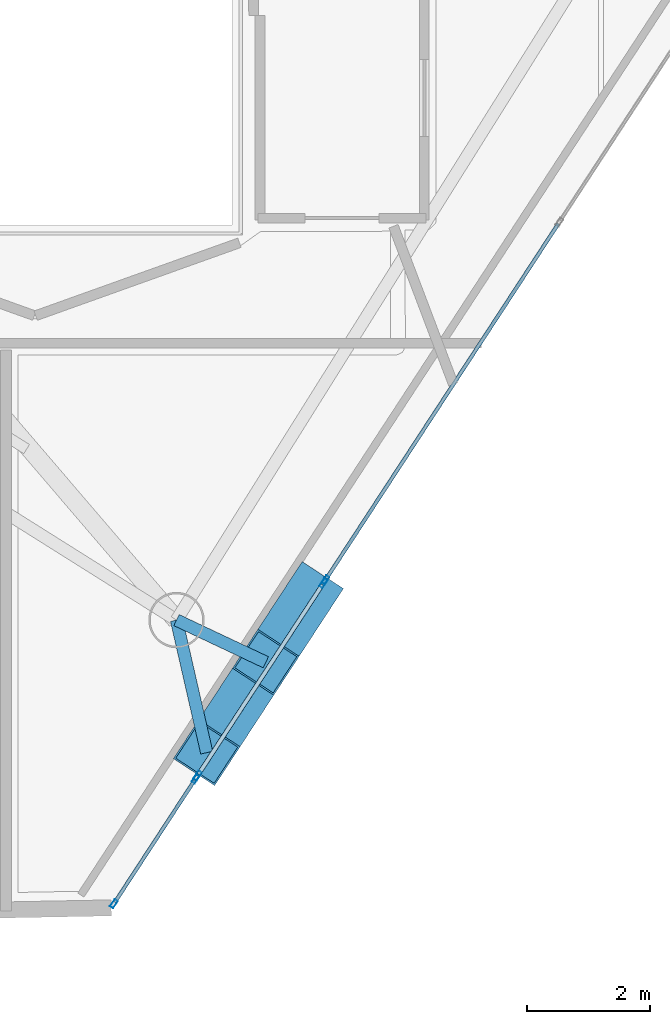
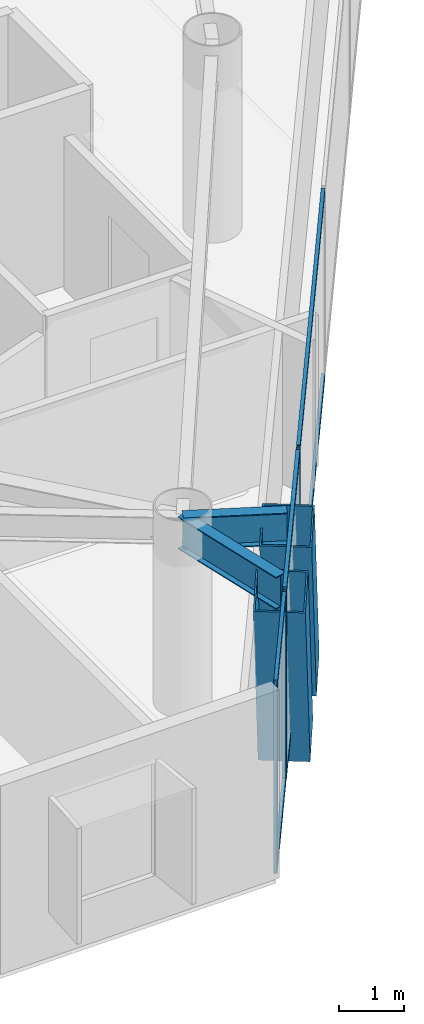
# One storey, part 5 of 25: 13 members, 2 beams, 3 elements without a shape of their own.
"""IFC4 building model written with IfcOpenShell, lengths in metres."""

from ifc_helpers import new_model, si_unit, direction, frame, origin, origin_2d, place, context, subcontext, project, spatial, hollow_rectangle, i_section, extrude, material, layer, layer_set, material_profile, profile_set, type_object, element, aggregate, save


model = new_model("IFC4")

# Units and contexts
model_context = context("Model", 3, precision=1e-05, world=origin(), true_north=direction((0.0, 1.0)))
body_context = subcontext(model_context, "Body", "Model", "MODEL_VIEW")
ifc_project = project(units=[si_unit("LENGTHUNIT", "METRE"), si_unit("AREAUNIT", "SQUARE_METRE"), si_unit("VOLUMEUNIT", "CUBIC_METRE"), si_unit("PLANEANGLEUNIT", "RADIAN"), si_unit("MASSUNIT", "GRAM", prefix="KILO")], contexts=[model_context])

# Site, building, storey
site_placement = place(None, origin())
site = spatial("IfcSite", under=ifc_project, at=site_placement, CompositionType="ELEMENT")
building_placement = place(site_placement, origin())
building = spatial("IfcBuilding", under=site, at=building_placement, Name="Qianvela Tower", CompositionType="ELEMENT")
storey_placement = place(building_placement, frame((0.0, 0.0, 291.699951171875)))
storey = spatial("IfcBuildingStorey", under=building, at=storey_placement, Name="L75", CompositionType="ELEMENT", Elevation=291.699951171875)

# Beams
ifc_material_1 = material(Name="Steel Q355B", Category="steel")
ifc_material_profile_1 = material_profile(ifc_material_1, i_section(OverallWidth=0.199951171875, OverallDepth=0.60009765625, WebThickness=0.010986328125, FlangeThickness=0.01708984375, at=origin_2d()), Name="HN600x200x11x17")
ifc_profile_set_1 = profile_set([ifc_material_profile_1], Name="Steel Q355B")
beam_type = type_object("IfcBeamType", Name="BM-HN600-GIRD", PredefinedType="BEAM", material=ifc_profile_set_1)
beam_1_placement = place(storey_placement, frame((39.095947265625, 11.587890625, 3.218017578125), z_axis=(0.222734712991, -0.974879093852, 0.0), x_axis=(0.974879093852, 0.222734712991, 0.0)))
element("IfcBeam", 1, at=beam_1_placement, inside=storey, type_object=beam_type, Name="L75 Mega-Brace Column Tie Bracket F3-1", PredefinedType="BEAM", context=body_context, shape_type="SweptSolid", body=[
    extrude(i_section(OverallWidth=0.199951171875, OverallDepth=0.60009765625, WebThickness=0.010986328125, FlangeThickness=0.01708984375, at=origin_2d()), origin(), (0.0, 0.0, 1.0), 2.20751953125),
])
beam_2_placement = place(storey_placement, frame((39.095947265625, 11.587890625, 3.218017578125), z_axis=(0.904217628297, -0.427071985356, 0.0), x_axis=(0.427071985356, 0.904217628297, 0.0)))
element("IfcBeam", 2, at=beam_2_placement, inside=storey, type_object=beam_type, Name="L75 Mega-Brace Column Tie Bracket F3-2", PredefinedType="BEAM", context=body_context, shape_type="SweptSolid", body=[
    extrude(i_section(OverallWidth=0.199951171875, OverallDepth=0.60009765625, WebThickness=0.010986328125, FlangeThickness=0.01708984375, at=origin_2d()), origin(), (0.0, 0.0, 1.0), 1.60400390625),
])

# Curtain wall, members
ifc_material_2 = material(Name="Anodised Architectural Aluminium and Insulated Spandrel Panel", Category="aluminium")
ifc_layer_1 = layer(ifc_material_2, 0.179931640625)
ifc_layer_set_1 = layer_set([ifc_layer_1], Name="Anodised Architectural Aluminium and Insulated Spandrel Panel")
curtain_wall_type_1 = type_object("IfcCurtainWallType", Name="CW-BRACEBAY", PredefinedType="USERDEFINED", material=ifc_layer_set_1)
curtain_wall_1_placement = place(storey_placement, origin())
curtain_wall_1 = element("IfcCurtainWall", 3, at=curtain_wall_1_placement, inside=storey, type_object=curtain_wall_type_1, Name="L75 CW-BRACEBAY Curtain Wall 06B", ObjectType="CURTAIN_WALL_SYSTEM", PredefinedType="USERDEFINED")
ifc_material_3 = material(Name="Anodised Architectural Aluminium 6063-T6", Category="aluminium")
ifc_material_profile_2 = material_profile(ifc_material_3, hollow_rectangle(XDim=0.06494140625, YDim=0.159912109375, WallThickness=0.0048828125, at=origin_2d()), Name="ALU-MULL-65x160")
ifc_profile_set_2 = profile_set([ifc_material_profile_2], Name="Anodised Architectural Aluminium 6063-T6")
member_type_1 = type_object("IfcMemberType", Name="CW-BRACEBAY-MULL", PredefinedType="MULLION", material=ifc_profile_set_2)
member_1_placement = place(storey_placement, frame((39.43798828125, 9.060791015625, 0.0), z_axis=(0.0, 0.0, 1.0), x_axis=(-0.837080396027, 0.547079894154, 0.0)))
member_1 = element("IfcMember", 4, at=member_1_placement, type_object=member_type_1, Name="CW-9 mullion 1", PredefinedType="MULLION", context=body_context, shape_type="SweptSolid", body=[
    extrude(hollow_rectangle(XDim=0.06494140625, YDim=0.159912109375, WallThickness=0.0048828125, at=origin_2d()), origin(), (0.0, 0.0, 1.0), 3.52001953125),
])
member_2_placement = place(storey_placement, frame((41.4814453125, 12.187255859375, 0.0), z_axis=(0.0, 0.0, 1.0), x_axis=(-0.837080396027, 0.547079894154, 0.0)))
member_2 = element("IfcMember", 5, at=member_2_placement, type_object=member_type_1, Name="CW-9 mullion 2", PredefinedType="MULLION", context=body_context, shape_type="SweptSolid", body=[
    extrude(hollow_rectangle(XDim=0.06494140625, YDim=0.159912109375, WallThickness=0.0048828125, at=origin_2d()), origin(), (0.0, 0.0, 1.0), 3.52001953125),
])
ifc_material_4 = material(Name="Anodised Architectural Aluminium 6063-T6", Category="aluminium")
ifc_material_profile_3 = material_profile(ifc_material_4, hollow_rectangle(XDim=0.06494140625, YDim=0.1298828125, WallThickness=0.00439453125, at=origin_2d()), Name="ALU-TRAN-65x130")
ifc_profile_set_3 = profile_set([ifc_material_profile_3], Name="Anodised Architectural Aluminium 6063-T6")
member_type_2 = type_object("IfcMemberType", Name="CW-BRACEBAY-TRAN", PredefinedType="USERDEFINED", material=ifc_profile_set_3)
member_3_placement = place(storey_placement, frame((39.455810546875, 9.087890625, 0.032470703125), z_axis=(0.547093418459, 0.837071556964, 0.0), x_axis=(-0.837071556964, 0.547093418459, 0.0)))
member_3 = element("IfcMember", 6, at=member_3_placement, type_object=member_type_2, Name="CW-9 transom 1.1", ObjectType="TRANSOM", PredefinedType="USERDEFINED", context=body_context, shape_type="SweptSolid", body=[
    extrude(hollow_rectangle(XDim=0.06494140625, YDim=0.1298828125, WallThickness=0.00439453125, at=origin_2d()), origin(), (0.0, 0.0, 1.0), 3.669921875),
])
member_4_placement = place(storey_placement, frame((39.455810546875, 9.087890625, 3.487548828125), z_axis=(0.547093418459, 0.837071556964, 0.0), x_axis=(-0.837071556964, 0.547093418459, 0.0)))
member_4 = element("IfcMember", 7, at=member_4_placement, type_object=member_type_2, Name="CW-9 transom 1.2", ObjectType="TRANSOM", PredefinedType="USERDEFINED", context=body_context, shape_type="SweptSolid", body=[
    extrude(hollow_rectangle(XDim=0.06494140625, YDim=0.1298828125, WallThickness=0.00439453125, at=origin_2d()), origin(), (0.0, 0.0, 1.0), 3.669921875),
])
aggregate(curtain_wall_1, [member_1, member_2, member_3, member_4])

ifc_material_5 = material(Name="Anodised Architectural Aluminium and Low-E Glass", Category="aluminium")
ifc_layer_2 = layer(ifc_material_5, 0.14990234375)
ifc_layer_set_2 = layer_set([ifc_layer_2], Name="Anodised Architectural Aluminium and Low-E Glass")
curtain_wall_type_2 = type_object("IfcCurtainWallType", Name="CW-COLIV-Z78", PredefinedType="USERDEFINED", material=ifc_layer_set_2)
curtain_wall_2_placement = place(storey_placement, origin())
curtain_wall_2 = element("IfcCurtainWall", 8, at=curtain_wall_2_placement, inside=storey, type_object=curtain_wall_type_2, Name="L75 CW-COLIV-Z78 Curtain Wall 06A", ObjectType="CURTAIN_WALL_SYSTEM", PredefinedType="USERDEFINED")
ifc_material_6 = material(Name="Anodised Architectural Aluminium 6063-T6", Category="aluminium")
ifc_material_profile_4 = material_profile(ifc_material_6, hollow_rectangle(XDim=0.06005859375, YDim=0.139892578125, WallThickness=0.00439453125, at=origin_2d()), Name="ALU-MULL-60x140")
ifc_profile_set_4 = profile_set([ifc_material_profile_4], Name="Anodised Architectural Aluminium 6063-T6")
member_type_3 = type_object("IfcMemberType", Name="CW-COLIV-Z78-MULL", PredefinedType="MULLION", material=ifc_profile_set_4)
member_5_placement = place(storey_placement, frame((38.080078125, 6.982666015625, 0.0), z_axis=(0.0, 0.0, 1.0), x_axis=(-0.837083965162, 0.547074433025, 0.0)))
member_5 = element("IfcMember", 9, at=member_5_placement, type_object=member_type_3, Name="CW-6 mullion 1", PredefinedType="MULLION", context=body_context, shape_type="SweptSolid", body=[
    extrude(hollow_rectangle(XDim=0.06005859375, YDim=0.139892578125, WallThickness=0.00439453125, at=origin_2d()), origin(), (0.0, 0.0, 1.0), 3.52001953125),
])
member_6_placement = place(storey_placement, frame((39.40380859375, 9.00830078125, 0.0), z_axis=(0.0, 0.0, 1.0), x_axis=(-0.837083965162, 0.547074433025, 0.0)))
member_6 = element("IfcMember", 10, at=member_6_placement, type_object=member_type_3, Name="CW-6 mullion 2", PredefinedType="MULLION", context=body_context, shape_type="SweptSolid", body=[
    extrude(hollow_rectangle(XDim=0.06005859375, YDim=0.139892578125, WallThickness=0.00439453125, at=origin_2d()), origin(), (0.0, 0.0, 1.0), 3.52001953125),
])

# Curtain wall, member
curtain_wall_3_placement = place(storey_placement, origin())
curtain_wall_3 = element("IfcCurtainWall", 11, at=curtain_wall_3_placement, inside=storey, type_object=curtain_wall_type_2, Name="L75 CW-COLIV-Z78 Curtain Wall 06C", ObjectType="CURTAIN_WALL_SYSTEM", PredefinedType="USERDEFINED")
member_7_placement = place(storey_placement, frame((41.515625, 12.239501953125, 0.0), z_axis=(0.0, 0.0, 1.0), x_axis=(-0.837077998993, 0.547083561809, 0.0)))
member_7 = element("IfcMember", 12, at=member_7_placement, type_object=member_type_3, Name="CW-6 mullion 1", PredefinedType="MULLION", context=body_context, shape_type="SweptSolid", body=[
    extrude(hollow_rectangle(XDim=0.06005859375, YDim=0.139892578125, WallThickness=0.00439453125, at=origin_2d()), origin(), (0.0, 0.0, 1.0), 3.52001953125),
])

# Member
ifc_material_7 = material(Name="Anodised Architectural Aluminium 6063-T6", Category="aluminium")
ifc_material_profile_5 = material_profile(ifc_material_7, hollow_rectangle(XDim=0.06005859375, YDim=0.114990234375, WallThickness=0.00390625, at=origin_2d()), Name="ALU-TRAN-60x115")
ifc_profile_set_5 = profile_set([ifc_material_profile_5], Name="Anodised Architectural Aluminium 6063-T6")
member_type_4 = type_object("IfcMemberType", Name="CW-COLIV-Z78-TRAN", PredefinedType="USERDEFINED", material=ifc_profile_set_5)
member_8_placement = place(storey_placement, frame((38.096435546875, 7.0078125, 0.030029296875), z_axis=(0.547084892026, 0.837077129611, 0.0), x_axis=(-0.837077129611, 0.547084892026, 0.0)))
member_8 = element("IfcMember", 13, at=member_8_placement, type_object=member_type_4, Name="CW-6 transom 1.1", ObjectType="TRANSOM", PredefinedType="USERDEFINED", context=body_context, shape_type="SweptSolid", body=[
    extrude(hollow_rectangle(XDim=0.06005859375, YDim=0.114990234375, WallThickness=0.00390625, at=origin_2d()), origin(), (0.0, 0.0, 1.0), 2.35986328125),
])

member_9_placement = place(storey_placement, frame((38.096435546875, 7.0078125, 3.489990234375), z_axis=(0.547084892026, 0.837077129611, 0.0), x_axis=(-0.837077129611, 0.547084892026, 0.0)))
member_9 = element("IfcMember", 14, at=member_9_placement, type_object=member_type_4, Name="CW-6 transom 1.2", ObjectType="TRANSOM", PredefinedType="USERDEFINED", context=body_context, shape_type="SweptSolid", body=[
    extrude(hollow_rectangle(XDim=0.06005859375, YDim=0.114990234375, WallThickness=0.00390625, at=origin_2d()), origin(), (0.0, 0.0, 1.0), 2.35986328125),
])

aggregate(curtain_wall_2, [member_5, member_6, member_8, member_9])

member_10_placement = place(storey_placement, frame((41.531982421875, 12.2646484375, 0.030029296875), z_axis=(0.547091544541, 0.837072781717, 0.0), x_axis=(-0.837072781717, 0.547091544541, 0.0)))
member_10 = element("IfcMember", 15, at=member_10_placement, type_object=member_type_4, Name="CW-6 transom 1.1", ObjectType="TRANSOM", PredefinedType="USERDEFINED", context=body_context, shape_type="SweptSolid", body=[
    extrude(hollow_rectangle(XDim=0.06005859375, YDim=0.114990234375, WallThickness=0.00390625, at=origin_2d()), origin(), (0.0, 0.0, 1.0), 6.877685546875),
])

member_11_placement = place(storey_placement, frame((41.531982421875, 12.2646484375, 3.489990234375), z_axis=(0.547091544541, 0.837072781717, 0.0), x_axis=(-0.837072781717, 0.547091544541, 0.0)))
member_11 = element("IfcMember", 16, at=member_11_placement, type_object=member_type_4, Name="CW-6 transom 1.2", ObjectType="TRANSOM", PredefinedType="USERDEFINED", context=body_context, shape_type="SweptSolid", body=[
    extrude(hollow_rectangle(XDim=0.06005859375, YDim=0.114990234375, WallThickness=0.00390625, at=origin_2d()), origin(), (0.0, 0.0, 1.0), 6.877685546875),
])

aggregate(curtain_wall_3, [member_7, member_10, member_11])

# Members
ifc_material_8 = material(Name="Steel Q420GJC", Category="steel")
ifc_material_profile_6 = material_profile(ifc_material_8, hollow_rectangle(XDim=0.800048828125, YDim=0.800048828125, WallThickness=0.028076171875, at=origin_2d()), Name="MBOX-800x800x28")
ifc_profile_set_6 = profile_set([ifc_material_profile_6], Name="Steel Q420GJC")
member_type_5 = type_object("IfcMemberType", Name="MBR-MBRACE-800", PredefinedType="BRACE", material=ifc_profile_set_6)
member_12_placement = place(storey_placement, frame((40.305908203125, 10.534423828125, -0.48193359375), z_axis=(-0.182955603705, -0.279843717427, 0.942451452802), x_axis=(0.836995826354, -0.547209271363, 0.0)))
element("IfcMember", 17, at=member_12_placement, inside=storey, type_object=member_type_5, Name="L75 Tier 12 Exterior Mega-Brace F3A", PredefinedType="BRACE", context=body_context, shape_type="SweptSolid", body=[
    extrude(hollow_rectangle(XDim=0.800048828125, YDim=0.800048828125, WallThickness=0.028076171875, at=origin_2d()), origin(), (0.0, 0.0, 1.0), 3.92578125),
])
member_13_placement = place(storey_placement, frame((41.2646484375, 12.001708984375, -0.48193359375), z_axis=(-0.182952419498, -0.279901033365, 0.942435050134), x_axis=(0.837051508538, -0.547124092006, 0.0)))
element("IfcMember", 18, at=member_13_placement, inside=storey, type_object=member_type_5, Name="L75 Tier 12 Exterior Mega-Brace F3B", PredefinedType="BRACE", context=body_context, shape_type="SweptSolid", body=[
    extrude(hollow_rectangle(XDim=0.800048828125, YDim=0.800048828125, WallThickness=0.028076171875, at=origin_2d()), origin(), (0.0, 0.0, 1.0), 3.926025390625),
])

save(model, "model.ifc")
